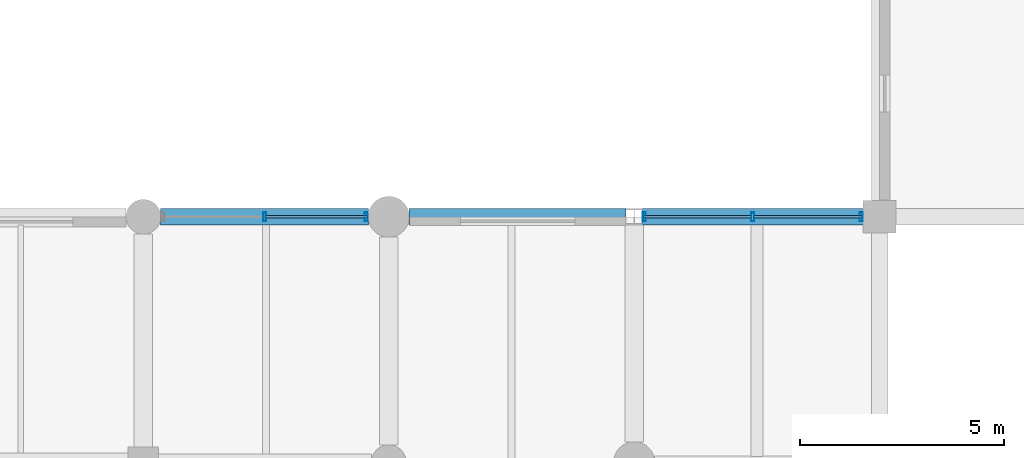
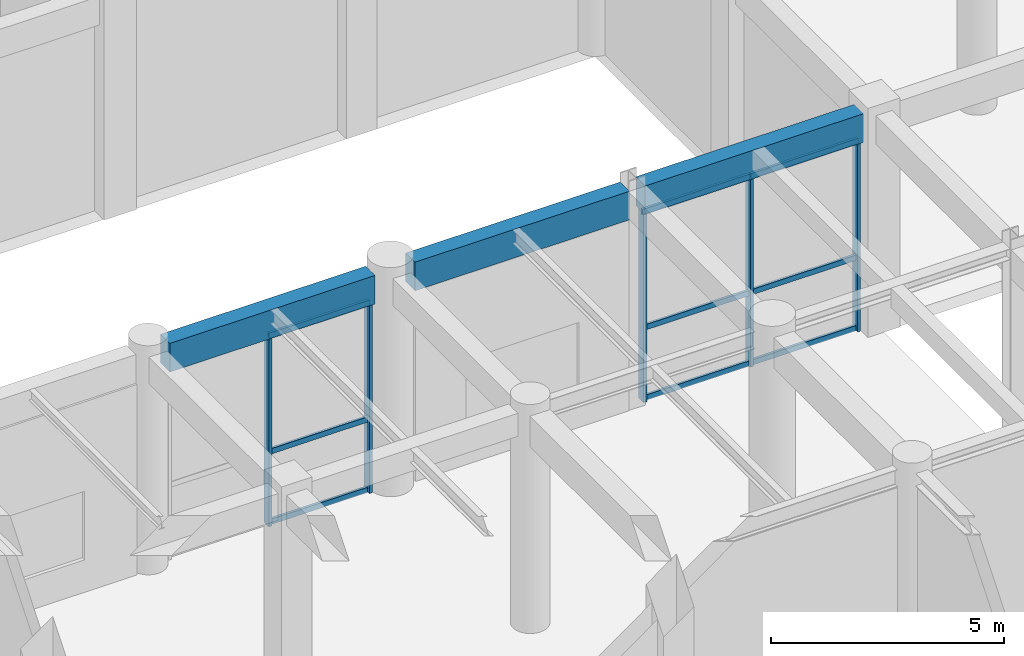
# One storey, part 64 of 106: 14 members, 3 beams, 2 elements without a shape of their own.
"""IFC4 building model written with IfcOpenShell, lengths in metres."""

import ifcopenshell
import ifcopenshell.guid

model = None  # the IFC model being written
_history = None  # IfcOwnerHistory: only IFC2X3 demands one
_inside = {}  # id of a spatial element -> (the spatial element, [elements in it])
_under = {}  # id of a project, library or spatial element -> (it, [spatial elements below it])
_declared = {}  # id of a project -> (the project, [libraries it declares])
_typed = {}  # id of a type object -> (the type object, [elements of that type])
_made_of = {}  # id of a material, layer set ... -> (it, [elements and type objects made of it])


def new_model(schema):
    """Start an empty IFC model of exactly this schema.

    Asked for "IFC4X3", IfcOpenShell would pick the latest addendum, in which some entities
    have other attributes; the version numbers below select the first issue.
    IFC2X3 requires an IfcOwnerHistory on every rooted entity: one is made here for all.
    """
    global model, _history
    if schema == "IFC4X3":
        model = ifcopenshell.file(schema_version=(4, 3, 0, 0))
    else:
        model = ifcopenshell.file(schema=schema)
    _inside.clear()
    _under.clear()
    _declared.clear()
    _typed.clear()
    _made_of.clear()
    _history = None
    if model.schema == "IFC2X3":
        org = make("IfcOrganization", Name="unknown")
        user = make(
            "IfcPersonAndOrganization",
            ThePerson=make("IfcPerson", FamilyName="unknown"),
            TheOrganization=org,
        )
        app = make(
            "IfcApplication",
            ApplicationDeveloper=org,
            Version="unknown",
            ApplicationFullName="unknown",
            ApplicationIdentifier="unknown",
        )
        _history = make(
            "IfcOwnerHistory",
            OwningUser=user,
            OwningApplication=app,
            ChangeAction="ADDED",
            CreationDate=0,
        )
    return model


def make(cls, **values):
    """One entity of the class cls with the attributes given. An attribute that is None is left unset."""
    return model.create_entity(
        cls, **{name: value for name, value in values.items() if value is not None}
    )


def rooted(cls, **values):
    """An entity with a GlobalId (a new one), such as an element, a storey or a relation."""
    return make(cls, GlobalId=ifcopenshell.guid.new(), OwnerHistory=_history, **values)


def si_unit(unit_type, name, prefix=None):
    """IfcSIUnit, for example si_unit("LENGTHUNIT", "METRE", prefix="MILLI")."""
    return make("IfcSIUnit", UnitType=unit_type, Prefix=prefix, Name=name)


def assignment(units):
    """IfcUnitAssignment: the units of a project."""
    return None if units is None else make("IfcUnitAssignment", Units=units)


def point(xyz):
    """IfcCartesianPoint."""
    return None if xyz is None else make("IfcCartesianPoint", Coordinates=xyz)


def direction(xyz):
    """IfcDirection."""
    return None if xyz is None else make("IfcDirection", DirectionRatios=xyz)


def frame(location, z_axis=None, x_axis=None):
    """IfcAxis2Placement3D, a coordinate frame: its origin and axes. An axis left out is left unset."""
    return make(
        "IfcAxis2Placement3D",
        Location=point(location),
        Axis=direction(z_axis),
        RefDirection=direction(x_axis),
    )


def frame_2d(location, x_axis=None):
    """IfcAxis2Placement2D, a coordinate frame in the plane: its origin and x axis."""
    return make(
        "IfcAxis2Placement2D", Location=point(location), RefDirection=direction(x_axis)
    )


def origin():
    """The frame at (0, 0, 0) with its axes left unset."""
    return frame((0.0, 0.0, 0.0))


def origin_2d():
    """The frame at (0, 0) in the plane with its x axis left unset."""
    return frame_2d((0.0, 0.0))


def place(relative_to, where):
    """IfcLocalPlacement: puts the frame where relative to a parent placement (None: the world)."""
    return make(
        "IfcLocalPlacement", PlacementRelTo=relative_to, RelativePlacement=where
    )


def context(
    kind, dimensions, precision=None, world=None, true_north=None, identifier=None
):
    """IfcGeometricRepresentationContext, for example the 3D "Model" context."""
    return make(
        "IfcGeometricRepresentationContext",
        ContextIdentifier=identifier,
        ContextType=kind,
        CoordinateSpaceDimension=dimensions,
        Precision=precision,
        WorldCoordinateSystem=world,
        TrueNorth=true_north,
    )


def subcontext(parent, identifier, kind, view, scale=None):
    """IfcGeometricRepresentationSubContext, for example "Body" below "Model"."""
    return make(
        "IfcGeometricRepresentationSubContext",
        ContextIdentifier=identifier,
        ContextType=kind,
        ParentContext=parent,
        TargetScale=scale,
        TargetView=view,
    )


def project(units=None, contexts=None):
    """IfcProject with its units and contexts."""
    return rooted(
        "IfcProject",
        Name="project",
        RepresentationContexts=contexts,
        UnitsInContext=assignment(units),
    )


def spatial(cls, under=None, at=None, **own):
    """A site, building, storey or space (cls), placed at a placement, below another one or the project."""
    s = rooted(cls, ObjectPlacement=at, **own)
    if under is not None:
        _under.setdefault(under.id(), (under, []))[1].append(s)
    return s


def profile(cls, at=None, kind="AREA", **sizes):
    """A parametric profile (cls). Its sizes go by their IFC names, for example OverallWidth=200.0."""
    return make(cls, ProfileType=kind, Position=at, **sizes)


def rectangle(**sizes):
    """IfcRectangleProfileDef."""
    return profile("IfcRectangleProfileDef", **sizes)


def hollow_rectangle(**sizes):
    """IfcRectangleHollowProfileDef."""
    return profile("IfcRectangleHollowProfileDef", **sizes)


def extrude(swept, where, along, depth):
    """IfcExtrudedAreaSolid: the profile swept, set in the frame where, extruded along a direction by depth."""
    return make(
        "IfcExtrudedAreaSolid",
        SweptArea=swept,
        Position=where,
        ExtrudedDirection=direction(along),
        Depth=depth,
    )


def shape(context_of_items, identifier, shape_type, items):
    """IfcShapeRepresentation: the items that make up one representation, for example the "Body"."""
    return make(
        "IfcShapeRepresentation",
        ContextOfItems=context_of_items,
        RepresentationIdentifier=identifier,
        RepresentationType=shape_type,
        Items=items,
    )


def material(Name=None, Category=None):
    """IfcMaterial."""
    return make("IfcMaterial", Name=Name, Category=Category)


def material_profile(
    of_material, cross_section, Name=None, Category=None, Priority=None
):
    """IfcMaterialProfile: a cross section and its material."""
    return make(
        "IfcMaterialProfile",
        Name=Name,
        Material=of_material,
        Profile=cross_section,
        Priority=Priority,
        Category=Category,
    )


def profile_set(profiles, Name=None, composite=None):
    """IfcMaterialProfileSet."""
    return make(
        "IfcMaterialProfileSet",
        Name=Name,
        MaterialProfiles=profiles,
        CompositeProfile=composite,
    )


def made_of(thing, what):
    """Note that an element or type object is made of a material, layer set ...; save() writes the relation."""
    if what is not None:
        _made_of.setdefault(what.id(), (what, []))[1].append(thing)
    return thing


def type_object(cls, material=None, **own):
    """A type object (cls), such as IfcWallType, which elements share."""
    return made_of(rooted(cls, **own), material)


def element(
    cls,
    number,
    at=None,
    inside=None,
    cuts=None,
    type_object=None,
    material=None,
    context=None,
    identifier="Body",
    shape_type=None,
    held_by="IfcProductDefinitionShape",
    body=None,
    shapes=None,
    **own,
):
    """One element of the class cls, such as IfcWall. Its Tag is "e" and its number.

    at: its placement. inside: the storey or other place that contains it. cuts: it is an
    opening in that element (IfcRelVoidsElement). A single representation is given by context,
    identifier, shape_type and body (its items); several are given by shapes. held_by: the class
    of the entity that holds the representations. save() writes the other relations.
    """
    e = rooted(cls, Tag="e%d" % number, ObjectPlacement=at, **own)
    if body is not None:
        shapes = [shape(context, identifier, shape_type, body)]
    if shapes is not None:
        e.Representation = make(held_by, Representations=shapes)
    if inside is not None:
        _inside.setdefault(inside.id(), (inside, []))[1].append(e)
    if cuts is not None:
        rooted(
            "IfcRelVoidsElement", RelatingBuildingElement=cuts, RelatedOpeningElement=e
        )
    if type_object is not None:
        _typed.setdefault(type_object.id(), (type_object, []))[1].append(e)
    return made_of(e, material)


def aggregate(whole, parts):
    """IfcRelAggregates: a whole, such as a stair, and the parts it consists of."""
    return rooted("IfcRelAggregates", RelatingObject=whole, RelatedObjects=parts)


def save(model, path):
    """Write the relations noted so far, then the file.

    IfcRelAggregates (storeys below a building ...), IfcRelContainedInSpatialStructure (elements
    in a storey), IfcRelDefinesByType, IfcRelAssociatesMaterial and IfcRelDeclares: one each for
    every whole, place, type object, material and project.
    """
    for whole, parts in _under.values():
        aggregate(whole, parts)
    for where, things in _inside.values():
        rooted(
            "IfcRelContainedInSpatialStructure",
            RelatedElements=things,
            RelatingStructure=where,
        )
    for kind, things in _typed.values():
        rooted("IfcRelDefinesByType", RelatedObjects=things, RelatingType=kind)
    for what, things in _made_of.values():
        rooted("IfcRelAssociatesMaterial", RelatedObjects=things, RelatingMaterial=what)
    for by, libraries in _declared.values():
        rooted("IfcRelDeclares", RelatingContext=by, RelatedDefinitions=libraries)
    model.write(path)


model = new_model("IFC4")

# Units and contexts
model_context = context("Model", 3, precision=1e-05, world=origin(), true_north=direction((0.0, 1.0)))
body_context = subcontext(model_context, "Body", "Model", "MODEL_VIEW")
ifc_project = project(units=[si_unit("LENGTHUNIT", "METRE"), si_unit("AREAUNIT", "SQUARE_METRE"), si_unit("VOLUMEUNIT", "CUBIC_METRE"), si_unit("PLANEANGLEUNIT", "RADIAN"), si_unit("MASSUNIT", "GRAM", prefix="KILO"), si_unit("THERMODYNAMICTEMPERATUREUNIT", "KELVIN"), si_unit("POWERUNIT", "WATT")], contexts=[model_context])

# Site, building, storey
site_placement = place(None, origin())
site = spatial("IfcSite", under=ifc_project, at=site_placement, CompositionType="ELEMENT")
building_placement = place(site_placement, origin())
building = spatial("IfcBuilding", under=site, at=building_placement, Name="Phaisarnlok Congress Hotel", CompositionType="ELEMENT")
storey_placement = place(building_placement, origin())
storey = spatial("IfcBuildingStorey", under=building, at=storey_placement, Name="L00", CompositionType="ELEMENT", Elevation=0.0)

# Curtain wall, members
ifc_material_1 = material(Name="Thermally Broken Unitised Aluminium & Low-E Glazing", Category="aluminium")
curtain_wall_type_1 = type_object("IfcCurtainWallType", Name="CW-UNIT-04", PredefinedType="NOTDEFINED", material=ifc_material_1)
curtain_wall_1_placement = place(storey_placement, origin())
curtain_wall_1 = element("IfcCurtainWall", 1, at=curtain_wall_1_placement, inside=storey, type_object=curtain_wall_type_1, Name="Unitised curtain wall CW-04 (L00)", PredefinedType="NOTDEFINED")
ifc_material_2 = material(Name="Anodised Aluminium Alloy 6063-T6", Category="aluminium")
ifc_material_profile_1 = material_profile(ifc_material_2, hollow_rectangle(XDim=0.074951171875, YDim=0.219970703125, WallThickness=0.0048828125, at=origin_2d()), Name="ALU-M 75x220x5")
ifc_profile_set_1 = profile_set([ifc_material_profile_1], Name="Anodised Aluminium Alloy 6063-T6")
member_type_1 = type_object("IfcMemberType", Name="CWM-220", PredefinedType="MULLION", material=ifc_profile_set_1)
member_1_placement = place(storey_placement, frame((143.550048828125, 96.0, 0.0), z_axis=(0.0, 0.0, 1.0), x_axis=(-1.0, 0.0, 0.0)))
member_1 = element("IfcMember", 2, at=member_1_placement, type_object=member_type_1, Name="Curtain wall mullion CWM-02", PredefinedType="MULLION", context=body_context, shape_type="SweptSolid", body=[
    extrude(hollow_rectangle(XDim=0.074951171875, YDim=0.219970703125, WallThickness=0.0048828125, at=origin_2d()), origin(), (0.0, 0.0, 1.0), 4.989990234375),
])
member_2_placement = place(storey_placement, frame((140.900146484375, 96.0, 0.0), z_axis=(0.0, 0.0, 1.0), x_axis=(-1.0, 0.0, 0.0)))
member_2 = element("IfcMember", 3, at=member_2_placement, type_object=member_type_1, Name="Curtain wall mullion CWM-02", PredefinedType="MULLION", context=body_context, shape_type="SweptSolid", body=[
    extrude(hollow_rectangle(XDim=0.074951171875, YDim=0.219970703125, WallThickness=0.0048828125, at=origin_2d()), origin(), (0.0, 0.0, 1.0), 4.989990234375),
])
member_3_placement = place(storey_placement, frame((138.25048828125, 96.0, 0.0), z_axis=(0.0, 0.0, 1.0), x_axis=(-1.0, 0.0, 0.0)))
member_3 = element("IfcMember", 4, at=member_3_placement, type_object=member_type_1, Name="Curtain wall mullion CWM-02", PredefinedType="MULLION", context=body_context, shape_type="SweptSolid", body=[
    extrude(hollow_rectangle(XDim=0.074951171875, YDim=0.219970703125, WallThickness=0.0048828125, at=origin_2d()), origin(), (0.0, 0.0, 1.0), 4.989990234375),
])

curtain_wall_type_2 = type_object("IfcCurtainWallType", Name="CW-UNIT-01", PredefinedType="NOTDEFINED", material=ifc_material_1)
curtain_wall_2_placement = place(storey_placement, origin())
curtain_wall_2 = element("IfcCurtainWall", 5, at=curtain_wall_2_placement, inside=storey, type_object=curtain_wall_type_2, Name="Unitised curtain wall CW-01 (L00)", PredefinedType="NOTDEFINED")
member_4_placement = place(storey_placement, frame((131.449951171875, 96.0, 0.0), z_axis=(0.0, 0.0, 1.0), x_axis=(-1.0, 0.0, 0.0)))
member_4 = element("IfcMember", 6, at=member_4_placement, type_object=member_type_1, Name="Curtain wall mullion CWM-02", PredefinedType="MULLION", context=body_context, shape_type="SweptSolid", body=[
    extrude(hollow_rectangle(XDim=0.074951171875, YDim=0.219970703125, WallThickness=0.0048828125, at=origin_2d()), origin(), (0.0, 0.0, 1.0), 4.989990234375),
])
member_5_placement = place(storey_placement, frame((128.96240234375, 96.0, 0.0), z_axis=(0.0, 0.0, 1.0), x_axis=(-1.0, 0.0, 0.0)))
member_5 = element("IfcMember", 7, at=member_5_placement, type_object=member_type_1, Name="Curtain wall mullion CWM-02", PredefinedType="MULLION", context=body_context, shape_type="SweptSolid", body=[
    extrude(hollow_rectangle(XDim=0.074951171875, YDim=0.219970703125, WallThickness=0.0048828125, at=origin_2d()), origin(), (0.0, 0.0, 1.0), 4.989990234375),
])

# Member
ifc_material_profile_2 = material_profile(ifc_material_2, hollow_rectangle(XDim=0.06494140625, YDim=0.139892578125, WallThickness=0.00390625, at=origin_2d()), Name="ALU-T 65x140x4")
ifc_profile_set_2 = profile_set([ifc_material_profile_2], Name="Anodised Aluminium Alloy 6063-T6")
member_type_2 = type_object("IfcMemberType", Name="CWT-150", PredefinedType="USERDEFINED", material=ifc_profile_set_2)
member_6_placement = place(storey_placement, frame((143.574951171875, 96.0, 0.050048828125), z_axis=(-1.0, 0.0, 0.0), x_axis=(0.0, -1.0, 0.0)))
member_6 = element("IfcMember", 8, at=member_6_placement, type_object=member_type_2, Name="Curtain wall transom CWT-01", ObjectType="TRANSOM", PredefinedType="USERDEFINED", context=body_context, shape_type="SweptSolid", body=[
    extrude(hollow_rectangle(XDim=0.06494140625, YDim=0.139892578125, WallThickness=0.00390625, at=origin_2d()), origin(), (0.0, 0.0, 1.0), 2.65966796875),
])

member_7_placement = place(storey_placement, frame((143.574951171875, 96.0, 1.896240234375), z_axis=(-1.0, 0.0, 0.0), x_axis=(0.0, -1.0, 0.0)))
member_7 = element("IfcMember", 9, at=member_7_placement, type_object=member_type_2, Name="Curtain wall transom CWT-01", ObjectType="TRANSOM", PredefinedType="USERDEFINED", context=body_context, shape_type="SweptSolid", body=[
    extrude(hollow_rectangle(XDim=0.06494140625, YDim=0.139892578125, WallThickness=0.00390625, at=origin_2d()), origin(), (0.0, 0.0, 1.0), 2.65966796875),
])

member_8_placement = place(storey_placement, frame((143.574951171875, 96.0, 4.93994140625), z_axis=(-1.0, 0.0, 0.0), x_axis=(0.0, -1.0, 0.0)))
member_8 = element("IfcMember", 10, at=member_8_placement, type_object=member_type_2, Name="Curtain wall transom CWT-01", ObjectType="TRANSOM", PredefinedType="USERDEFINED", context=body_context, shape_type="SweptSolid", body=[
    extrude(hollow_rectangle(XDim=0.06494140625, YDim=0.139892578125, WallThickness=0.00390625, at=origin_2d()), origin(), (0.0, 0.0, 1.0), 2.65966796875),
])

member_9_placement = place(storey_placement, frame((140.88525390625, 96.0, 0.050048828125), z_axis=(-1.0, 0.0, 0.0), x_axis=(0.0, -1.0, 0.0)))
member_9 = element("IfcMember", 11, at=member_9_placement, type_object=member_type_2, Name="Curtain wall transom CWT-01", ObjectType="TRANSOM", PredefinedType="USERDEFINED", context=body_context, shape_type="SweptSolid", body=[
    extrude(hollow_rectangle(XDim=0.06494140625, YDim=0.139892578125, WallThickness=0.00390625, at=origin_2d()), origin(), (0.0, 0.0, 1.0), 2.65966796875),
])

member_10_placement = place(storey_placement, frame((140.88525390625, 96.0, 1.896240234375), z_axis=(-1.0, 0.0, 0.0), x_axis=(0.0, -1.0, 0.0)))
member_10 = element("IfcMember", 12, at=member_10_placement, type_object=member_type_2, Name="Curtain wall transom CWT-01", ObjectType="TRANSOM", PredefinedType="USERDEFINED", context=body_context, shape_type="SweptSolid", body=[
    extrude(hollow_rectangle(XDim=0.06494140625, YDim=0.139892578125, WallThickness=0.00390625, at=origin_2d()), origin(), (0.0, 0.0, 1.0), 2.65966796875),
])

member_11_placement = place(storey_placement, frame((140.88525390625, 96.0, 4.93994140625), z_axis=(-1.0, 0.0, 0.0), x_axis=(0.0, -1.0, 0.0)))
member_11 = element("IfcMember", 13, at=member_11_placement, type_object=member_type_2, Name="Curtain wall transom CWT-01", ObjectType="TRANSOM", PredefinedType="USERDEFINED", context=body_context, shape_type="SweptSolid", body=[
    extrude(hollow_rectangle(XDim=0.06494140625, YDim=0.139892578125, WallThickness=0.00390625, at=origin_2d()), origin(), (0.0, 0.0, 1.0), 2.65966796875),
])

aggregate(curtain_wall_1, [member_1, member_2, member_3, member_6, member_7, member_8, member_9, member_10, member_11])

member_12_placement = place(storey_placement, frame((131.47509765625, 96.0, 0.050048828125), z_axis=(-1.0, 0.0, 0.0), x_axis=(0.0, -1.0, 0.0)))
member_12 = element("IfcMember", 14, at=member_12_placement, type_object=member_type_2, Name="Curtain wall transom CWT-01", ObjectType="TRANSOM", PredefinedType="USERDEFINED", context=body_context, shape_type="SweptSolid", body=[
    extrude(hollow_rectangle(XDim=0.06494140625, YDim=0.139892578125, WallThickness=0.00390625, at=origin_2d()), origin(), (0.0, 0.0, 1.0), 2.49755859375),
])

member_13_placement = place(storey_placement, frame((131.47509765625, 96.0, 1.896240234375), z_axis=(-1.0, 0.0, 0.0), x_axis=(0.0, -1.0, 0.0)))
member_13 = element("IfcMember", 15, at=member_13_placement, type_object=member_type_2, Name="Curtain wall transom CWT-01", ObjectType="TRANSOM", PredefinedType="USERDEFINED", context=body_context, shape_type="SweptSolid", body=[
    extrude(hollow_rectangle(XDim=0.06494140625, YDim=0.139892578125, WallThickness=0.00390625, at=origin_2d()), origin(), (0.0, 0.0, 1.0), 2.49755859375),
])

member_14_placement = place(storey_placement, frame((131.47509765625, 96.0, 4.93994140625), z_axis=(-1.0, 0.0, 0.0), x_axis=(0.0, -1.0, 0.0)))
member_14 = element("IfcMember", 16, at=member_14_placement, type_object=member_type_2, Name="Curtain wall transom CWT-01", ObjectType="TRANSOM", PredefinedType="USERDEFINED", context=body_context, shape_type="SweptSolid", body=[
    extrude(hollow_rectangle(XDim=0.06494140625, YDim=0.139892578125, WallThickness=0.00390625, at=origin_2d()), origin(), (0.0, 0.0, 1.0), 2.49755859375),
])

aggregate(curtain_wall_2, [member_4, member_5, member_12, member_13, member_14])

# Beams
ifc_material_3 = material(Name="Concrete C40/50", Category="concrete")
ifc_material_profile_3 = material_profile(ifc_material_3, rectangle(XDim=0.39990234375, YDim=0.75, at=origin_2d()), Name="RC 400x750")
ifc_profile_set_3 = profile_set([ifc_material_profile_3], Name="Concrete C40/50")
beam_type = type_object("IfcBeamType", Name="SP-RC-400x750", PredefinedType="SPANDREL", material=ifc_profile_set_3)
beam_1_placement = place(storey_placement, frame((126.419921875, 96.0, 5.364990234375), z_axis=(1.0, 0.0, 0.0), x_axis=(0.0, 1.0, 0.0)))
element("IfcBeam", 17, at=beam_1_placement, inside=storey, type_object=beam_type, Name="Beam SP-02", PredefinedType="SPANDREL", context=body_context, shape_type="SweptSolid", body=[
    extrude(rectangle(XDim=0.39990234375, YDim=0.75, at=origin_2d()), origin(), (0.0, 0.0, 1.0), 5.0849609375),
])
beam_2_placement = place(storey_placement, frame((132.4951171875, 96.0, 5.364990234375), z_axis=(1.0, 0.0, 0.0), x_axis=(0.0, 1.0, 0.0)))
element("IfcBeam", 18, at=beam_2_placement, inside=storey, type_object=beam_type, Name="Beam SP-02", PredefinedType="SPANDREL", context=body_context, shape_type="SweptSolid", body=[
    extrude(rectangle(XDim=0.39990234375, YDim=0.75, at=origin_2d()), origin(), (0.0, 0.0, 1.0), 5.309326171875),
])
beam_3_placement = place(storey_placement, frame((138.195556640625, 96.0, 5.364990234375), z_axis=(1.0, 0.0, 0.0), x_axis=(0.0, 1.0, 0.0)))
element("IfcBeam", 19, at=beam_3_placement, inside=storey, type_object=beam_type, Name="Beam SP-02", PredefinedType="SPANDREL", context=body_context, shape_type="SweptSolid", body=[
    extrude(rectangle(XDim=0.39990234375, YDim=0.75, at=origin_2d()), origin(), (0.0, 0.0, 1.0), 5.409423828125),
])

save(model, "model.ifc")
